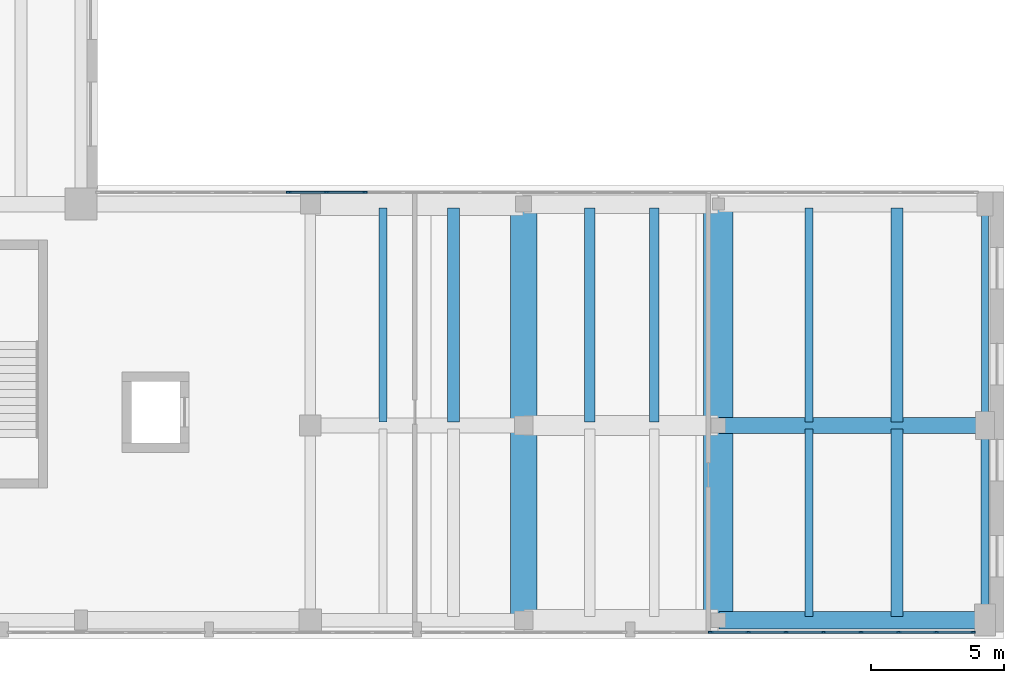
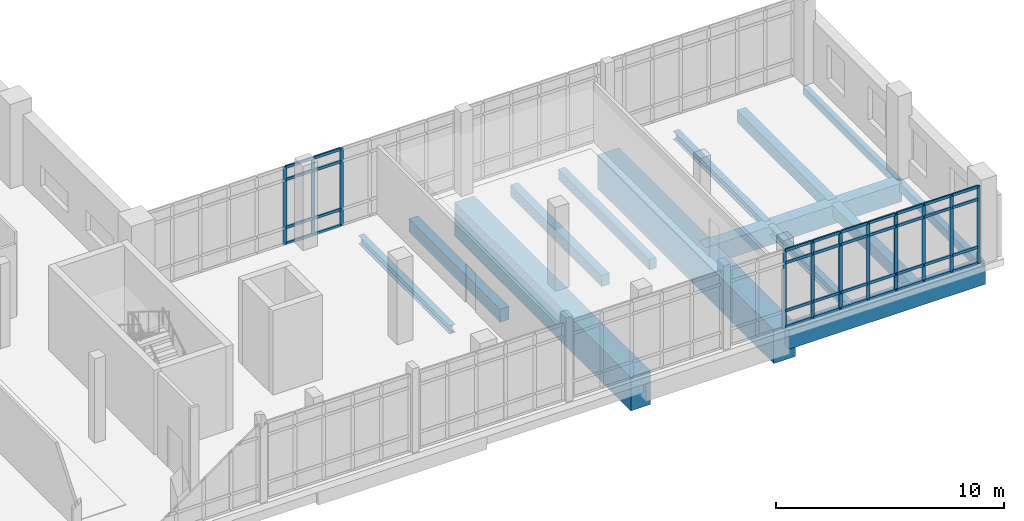
# One storey, part 40 of 89: 47 members, 14 beams, 2 elements without a shape of their own.
"""IFC4 building model written with IfcOpenShell, lengths in metres."""

from ifc_helpers import new_model, si_unit, direction, frame, origin, origin_2d, place, context, subcontext, project, spatial, rectangle, i_section, extrude, material, material_profile, profile_set, type_object, element, aggregate, save


model = new_model("IFC4")

# Units and contexts
model_context = context("Model", 3, precision=1e-05, world=origin(), true_north=direction((0.0, 1.0)))
body_context = subcontext(model_context, "Body", "Model", "MODEL_VIEW")
ifc_project = project(units=[si_unit("LENGTHUNIT", "METRE"), si_unit("AREAUNIT", "SQUARE_METRE"), si_unit("VOLUMEUNIT", "CUBIC_METRE"), si_unit("PLANEANGLEUNIT", "RADIAN"), si_unit("MASSUNIT", "GRAM", prefix="KILO")], contexts=[model_context])

# Site, building, storey
site_placement = place(None, origin())
site = spatial("IfcSite", under=ifc_project, at=site_placement, CompositionType="ELEMENT")
building_placement = place(site_placement, origin())
building = spatial("IfcBuilding", under=site, at=building_placement, Name="Soyqirgoq Riverine Aquarium", CompositionType="ELEMENT")
storey_placement = place(building_placement, frame((0.0, 0.0, 5.39990234375)))
storey = spatial("IfcBuildingStorey", under=building, at=storey_placement, Name="L02", CompositionType="ELEMENT", Elevation=5.39990234375)

# Beams
ifc_material_1 = material(Name="Concrete C40/50", Category="concrete")
ifc_material_profile_1 = material_profile(ifc_material_1, rectangle(XDim=0.39990234375, YDim=0.60009765625, at=origin_2d()), Name="RC 400x600")
ifc_profile_set_1 = profile_set([ifc_material_profile_1], Name="Concrete C40/50")
beam_type_1 = type_object("IfcBeamType", Name="Beam_RC_400x600", PredefinedType="JOIST", material=ifc_profile_set_1)
beam_1_placement = place(storey_placement, frame((148.48193359375, 9.639892578125, -0.64990234375), z_axis=(0.0, 1.0, 0.0), x_axis=(-1.0, 0.0, 0.0)))
element("IfcBeam", 1, at=beam_1_placement, inside=storey, type_object=beam_type_1, Name="V6 L02 Secondary Bay Joist 1138", PredefinedType="JOIST", context=body_context, shape_type="SweptSolid", body=[
    extrude(rectangle(XDim=0.39990234375, YDim=0.60009765625, at=origin_2d()), origin(), (0.0, 0.0, 1.0), 8.02001953125),
])
ifc_material_2 = material(Name="Concrete C40/50", Category="concrete")
ifc_material_profile_2 = material_profile(ifc_material_2, rectangle(XDim=0.449951171875, YDim=0.64990234375, at=origin_2d()), Name="RC 450x650")
ifc_profile_set_2 = profile_set([ifc_material_profile_2], Name="Concrete C40/50")
beam_type_2 = type_object("IfcBeamType", Name="Beam_RC_450x650", PredefinedType="BEAM", material=ifc_profile_set_2)
beam_2_placement = place(storey_placement, frame((160.0, 2.340087890625, -0.6748046875), z_axis=(0.0, 1.0, 0.0), x_axis=(-1.0, 0.0, 0.0)))
element("IfcBeam", 2, at=beam_2_placement, inside=storey, type_object=beam_type_2, Name="V6 L02 Secondary Bay Joist 1133", PredefinedType="BEAM", context=body_context, shape_type="SweptSolid", body=[
    extrude(rectangle(XDim=0.449951171875, YDim=0.64990234375, at=origin_2d()), origin(), (0.0, 0.0, 1.0), 7.02001953125),
])
beam_3_placement = place(storey_placement, frame((160.0, 9.639892578125, -0.6748046875), z_axis=(0.0, 1.0, 0.0), x_axis=(-1.0, 0.0, 0.0)))
element("IfcBeam", 3, at=beam_3_placement, inside=storey, type_object=beam_type_2, Name="V6 L02 Secondary Bay Joist 1141", PredefinedType="BEAM", context=body_context, shape_type="SweptSolid", body=[
    extrude(rectangle(XDim=0.449951171875, YDim=0.64990234375, at=origin_2d()), origin(), (0.0, 0.0, 1.0), 8.02001953125),
])
ifc_material_3 = material(Name="Concrete C40/50", Category="concrete")
ifc_material_profile_3 = material_profile(ifc_material_3, rectangle(XDim=0.449951171875, YDim=0.699951171875, at=origin_2d()), Name="RC 450x700")
ifc_profile_set_3 = profile_set([ifc_material_profile_3], Name="Concrete C40/50")
beam_type_3 = type_object("IfcBeamType", Name="Beam_RC_450x700", PredefinedType="BEAM", material=ifc_profile_set_3)
beam_4_placement = place(storey_placement, frame((143.360107421875, 9.639892578125, -0.699951171875), z_axis=(0.0, 1.0, 0.0), x_axis=(-1.0, 0.0, 0.0)))
element("IfcBeam", 4, at=beam_4_placement, inside=storey, type_object=beam_type_3, Name="V6 L02 Secondary Bay Joist 1137", PredefinedType="BEAM", context=body_context, shape_type="SweptSolid", body=[
    extrude(rectangle(XDim=0.449951171875, YDim=0.699951171875, at=origin_2d()), origin(), (0.0, 0.0, 1.0), 8.02001953125),
])

# Curtain wall, members
ifc_material_4 = material(Name="Anodised aluminium thermally broken gallery curtain wall", Category="aluminium")
curtain_wall_type = type_object("IfcCurtainWallType", Name="CW_Pavilion_Ribbon", PredefinedType="NOTDEFINED", material=ifc_material_4)
curtain_wall_1_placement = place(storey_placement, origin())
curtain_wall_1 = element("IfcCurtainWall", 5, at=curtain_wall_1_placement, inside=storey, type_object=curtain_wall_type, Name="V6 L02 Curtain Wall 112", PredefinedType="NOTDEFINED")
ifc_material_5 = material(Name="Anodised aluminium 6063-T6", Category="aluminium")
ifc_material_profile_4 = material_profile(ifc_material_5, rectangle(XDim=0.06494140625, YDim=0.179931640625, at=origin_2d()), Name="ALU-M 65x180")
ifc_profile_set_4 = profile_set([ifc_material_profile_4], Name="Anodised aluminium 6063-T6")
member_type_1 = type_object("IfcMemberType", Name="CWMullion_65x180", PredefinedType="MULLION", material=ifc_profile_set_4)
member_1_placement = place(storey_placement, frame((137.185302734375, 18.25, 0.0), z_axis=(0.0, 0.0, 1.0), x_axis=(0.0, 1.0, 0.0)))
member_1 = element("IfcMember", 6, at=member_1_placement, type_object=member_type_1, Name="CW-05 mullion 6", PredefinedType="MULLION", context=body_context, shape_type="SweptSolid", body=[
    extrude(rectangle(XDim=0.06494140625, YDim=0.179931640625, at=origin_2d()), origin(), (0.0, 0.0, 1.0), 4.170166015625),
])
member_2_placement = place(storey_placement, frame((138.6181640625, 18.25, 0.0), z_axis=(0.0, 0.0, 1.0), x_axis=(0.0, 1.0, 0.0)))
member_2 = element("IfcMember", 7, at=member_2_placement, type_object=member_type_1, Name="CW-05 mullion 7", PredefinedType="MULLION", context=body_context, shape_type="SweptSolid", body=[
    extrude(rectangle(XDim=0.06494140625, YDim=0.179931640625, at=origin_2d()), origin(), (0.0, 0.0, 1.0), 4.170166015625),
])
member_3_placement = place(storey_placement, frame((140.05126953125, 18.25, 0.0), z_axis=(0.0, 0.0, 1.0), x_axis=(0.0, 1.0, 0.0)))
member_3 = element("IfcMember", 8, at=member_3_placement, type_object=member_type_1, Name="CW-05 mullion 8", PredefinedType="MULLION", context=body_context, shape_type="SweptSolid", body=[
    extrude(rectangle(XDim=0.06494140625, YDim=0.179931640625, at=origin_2d()), origin(), (0.0, 0.0, 1.0), 4.170166015625),
])

curtain_wall_2_placement = place(storey_placement, origin())
curtain_wall_2 = element("IfcCurtainWall", 9, at=curtain_wall_2_placement, inside=storey, type_object=curtain_wall_type, Name="V6 L02 Curtain Wall 113", PredefinedType="NOTDEFINED")
member_4_placement = place(storey_placement, frame((162.847412109375, 1.75, 0.0), z_axis=(0.0, 0.0, 1.0), x_axis=(0.0, -1.0, 0.0)))
member_4 = element("IfcMember", 10, at=member_4_placement, type_object=member_type_1, Name="CW-05 mullion 1", PredefinedType="MULLION", context=body_context, shape_type="SweptSolid", body=[
    extrude(rectangle(XDim=0.06494140625, YDim=0.179931640625, at=origin_2d()), origin(), (0.0, 0.0, 1.0), 4.170166015625),
])
member_5_placement = place(storey_placement, frame((161.470458984375, 1.75, 0.0), z_axis=(0.0, 0.0, 1.0), x_axis=(0.0, -1.0, 0.0)))
member_5 = element("IfcMember", 11, at=member_5_placement, type_object=member_type_1, Name="CW-05 mullion 2", PredefinedType="MULLION", context=body_context, shape_type="SweptSolid", body=[
    extrude(rectangle(XDim=0.06494140625, YDim=0.179931640625, at=origin_2d()), origin(), (0.0, 0.0, 1.0), 4.170166015625),
])
member_6_placement = place(storey_placement, frame((160.06103515625, 1.75, 0.0), z_axis=(0.0, 0.0, 1.0), x_axis=(0.0, -1.0, 0.0)))
member_6 = element("IfcMember", 12, at=member_6_placement, type_object=member_type_1, Name="CW-05 mullion 3", PredefinedType="MULLION", context=body_context, shape_type="SweptSolid", body=[
    extrude(rectangle(XDim=0.06494140625, YDim=0.179931640625, at=origin_2d()), origin(), (0.0, 0.0, 1.0), 4.170166015625),
])
member_7_placement = place(storey_placement, frame((158.651611328125, 1.75, 0.0), z_axis=(0.0, 0.0, 1.0), x_axis=(0.0, -1.0, 0.0)))
member_7 = element("IfcMember", 13, at=member_7_placement, type_object=member_type_1, Name="CW-05 mullion 4", PredefinedType="MULLION", context=body_context, shape_type="SweptSolid", body=[
    extrude(rectangle(XDim=0.06494140625, YDim=0.179931640625, at=origin_2d()), origin(), (0.0, 0.0, 1.0), 4.170166015625),
])
member_8_placement = place(storey_placement, frame((157.2421875, 1.75, 0.0), z_axis=(0.0, 0.0, 1.0), x_axis=(0.0, -1.0, 0.0)))
member_8 = element("IfcMember", 14, at=member_8_placement, type_object=member_type_1, Name="CW-05 mullion 5", PredefinedType="MULLION", context=body_context, shape_type="SweptSolid", body=[
    extrude(rectangle(XDim=0.06494140625, YDim=0.179931640625, at=origin_2d()), origin(), (0.0, 0.0, 1.0), 4.170166015625),
])
member_9_placement = place(storey_placement, frame((155.832763671875, 1.75, 0.0), z_axis=(0.0, 0.0, 1.0), x_axis=(0.0, -1.0, 0.0)))
member_9 = element("IfcMember", 15, at=member_9_placement, type_object=member_type_1, Name="CW-05 mullion 6", PredefinedType="MULLION", context=body_context, shape_type="SweptSolid", body=[
    extrude(rectangle(XDim=0.06494140625, YDim=0.179931640625, at=origin_2d()), origin(), (0.0, 0.0, 1.0), 4.170166015625),
])
member_10_placement = place(storey_placement, frame((154.42333984375, 1.75, 0.0), z_axis=(0.0, 0.0, 1.0), x_axis=(0.0, -1.0, 0.0)))
member_10 = element("IfcMember", 16, at=member_10_placement, type_object=member_type_1, Name="CW-05 mullion 7", PredefinedType="MULLION", context=body_context, shape_type="SweptSolid", body=[
    extrude(rectangle(XDim=0.06494140625, YDim=0.179931640625, at=origin_2d()), origin(), (0.0, 0.0, 1.0), 4.170166015625),
])
member_11_placement = place(storey_placement, frame((153.013916015625, 1.75, 0.0), z_axis=(0.0, 0.0, 1.0), x_axis=(0.0, -1.0, 0.0)))
member_11 = element("IfcMember", 17, at=member_11_placement, type_object=member_type_1, Name="CW-05 mullion 8", PredefinedType="MULLION", context=body_context, shape_type="SweptSolid", body=[
    extrude(rectangle(XDim=0.06494140625, YDim=0.179931640625, at=origin_2d()), origin(), (0.0, 0.0, 1.0), 4.170166015625),
])

# Member
ifc_material_6 = material(Name="Anodised aluminium 6063-T6", Category="aluminium")
ifc_material_profile_5 = material_profile(ifc_material_6, rectangle(XDim=0.074951171875, YDim=0.14990234375, at=origin_2d()), Name="ALU-T 75x150")
ifc_profile_set_5 = profile_set([ifc_material_profile_5], Name="Anodised aluminium 6063-T6")
member_type_2 = type_object("IfcMemberType", Name="CWTransom_75x150", PredefinedType="USERDEFINED", material=ifc_profile_set_5)
member_12_placement = place(storey_placement, frame((137.2177734375, 18.25, 0.03759765625), z_axis=(1.0, 0.0, 0.0), x_axis=(0.0, 1.0, 0.0)))
member_12 = element("IfcMember", 18, at=member_12_placement, type_object=member_type_2, Name="CW-05 transom 6.1", ObjectType="TRANSOM", PredefinedType="USERDEFINED", context=body_context, shape_type="SweptSolid", body=[
    extrude(rectangle(XDim=0.074951171875, YDim=0.14990234375, at=origin_2d()), origin(), (0.0, 0.0, 1.0), 1.367919921875),
])

member_13_placement = place(storey_placement, frame((137.2177734375, 18.25, 0.900146484375), z_axis=(1.0, 0.0, 0.0), x_axis=(0.0, 1.0, 0.0)))
member_13 = element("IfcMember", 19, at=member_13_placement, type_object=member_type_2, Name="CW-05 transom 6.2", ObjectType="TRANSOM", PredefinedType="USERDEFINED", context=body_context, shape_type="SweptSolid", body=[
    extrude(rectangle(XDim=0.074951171875, YDim=0.14990234375, at=origin_2d()), origin(), (0.0, 0.0, 1.0), 1.367919921875),
])

member_14_placement = place(storey_placement, frame((137.2177734375, 18.25, 3.47021484375), z_axis=(1.0, 0.0, 0.0), x_axis=(0.0, 1.0, 0.0)))
member_14 = element("IfcMember", 20, at=member_14_placement, type_object=member_type_2, Name="CW-05 transom 6.3", ObjectType="TRANSOM", PredefinedType="USERDEFINED", context=body_context, shape_type="SweptSolid", body=[
    extrude(rectangle(XDim=0.074951171875, YDim=0.14990234375, at=origin_2d()), origin(), (0.0, 0.0, 1.0), 1.367919921875),
])

member_15_placement = place(storey_placement, frame((137.2177734375, 18.25, 4.132568359375), z_axis=(1.0, 0.0, 0.0), x_axis=(0.0, 1.0, 0.0)))
member_15 = element("IfcMember", 21, at=member_15_placement, type_object=member_type_2, Name="CW-05 transom 6.4", ObjectType="TRANSOM", PredefinedType="USERDEFINED", context=body_context, shape_type="SweptSolid", body=[
    extrude(rectangle(XDim=0.074951171875, YDim=0.14990234375, at=origin_2d()), origin(), (0.0, 0.0, 1.0), 1.367919921875),
])

member_16_placement = place(storey_placement, frame((138.65087890625, 18.25, 0.03759765625), z_axis=(1.0, 0.0, 0.0), x_axis=(0.0, 1.0, 0.0)))
member_16 = element("IfcMember", 22, at=member_16_placement, type_object=member_type_2, Name="CW-05 transom 7.1", ObjectType="TRANSOM", PredefinedType="USERDEFINED", context=body_context, shape_type="SweptSolid", body=[
    extrude(rectangle(XDim=0.074951171875, YDim=0.14990234375, at=origin_2d()), origin(), (0.0, 0.0, 1.0), 1.367919921875),
])

member_17_placement = place(storey_placement, frame((138.65087890625, 18.25, 0.900146484375), z_axis=(1.0, 0.0, 0.0), x_axis=(0.0, 1.0, 0.0)))
member_17 = element("IfcMember", 23, at=member_17_placement, type_object=member_type_2, Name="CW-05 transom 7.2", ObjectType="TRANSOM", PredefinedType="USERDEFINED", context=body_context, shape_type="SweptSolid", body=[
    extrude(rectangle(XDim=0.074951171875, YDim=0.14990234375, at=origin_2d()), origin(), (0.0, 0.0, 1.0), 1.367919921875),
])

member_18_placement = place(storey_placement, frame((138.65087890625, 18.25, 3.47021484375), z_axis=(1.0, 0.0, 0.0), x_axis=(0.0, 1.0, 0.0)))
member_18 = element("IfcMember", 24, at=member_18_placement, type_object=member_type_2, Name="CW-05 transom 7.3", ObjectType="TRANSOM", PredefinedType="USERDEFINED", context=body_context, shape_type="SweptSolid", body=[
    extrude(rectangle(XDim=0.074951171875, YDim=0.14990234375, at=origin_2d()), origin(), (0.0, 0.0, 1.0), 1.367919921875),
])

member_19_placement = place(storey_placement, frame((138.65087890625, 18.25, 4.132568359375), z_axis=(1.0, 0.0, 0.0), x_axis=(0.0, 1.0, 0.0)))
member_19 = element("IfcMember", 25, at=member_19_placement, type_object=member_type_2, Name="CW-05 transom 7.4", ObjectType="TRANSOM", PredefinedType="USERDEFINED", context=body_context, shape_type="SweptSolid", body=[
    extrude(rectangle(XDim=0.074951171875, YDim=0.14990234375, at=origin_2d()), origin(), (0.0, 0.0, 1.0), 1.367919921875),
])

aggregate(curtain_wall_1, [member_1, member_2, member_3, member_12, member_13, member_14, member_15, member_16, member_17, member_18, member_19])

member_20_placement = place(storey_placement, frame((162.81494140625, 1.75, 0.03759765625), z_axis=(-1.0, 0.0, 0.0), x_axis=(0.0, -1.0, 0.0)))
member_20 = element("IfcMember", 26, at=member_20_placement, type_object=member_type_2, Name="CW-05 transom 1.1", ObjectType="TRANSOM", PredefinedType="USERDEFINED", context=body_context, shape_type="SweptSolid", body=[
    extrude(rectangle(XDim=0.074951171875, YDim=0.14990234375, at=origin_2d()), origin(), (0.0, 0.0, 1.0), 1.311767578125),
])

member_21_placement = place(storey_placement, frame((162.81494140625, 1.75, 0.900146484375), z_axis=(-1.0, 0.0, 0.0), x_axis=(0.0, -1.0, 0.0)))
member_21 = element("IfcMember", 27, at=member_21_placement, type_object=member_type_2, Name="CW-05 transom 1.2", ObjectType="TRANSOM", PredefinedType="USERDEFINED", context=body_context, shape_type="SweptSolid", body=[
    extrude(rectangle(XDim=0.074951171875, YDim=0.14990234375, at=origin_2d()), origin(), (0.0, 0.0, 1.0), 1.311767578125),
])

member_22_placement = place(storey_placement, frame((162.81494140625, 1.75, 3.47021484375), z_axis=(-1.0, 0.0, 0.0), x_axis=(0.0, -1.0, 0.0)))
member_22 = element("IfcMember", 28, at=member_22_placement, type_object=member_type_2, Name="CW-05 transom 1.3", ObjectType="TRANSOM", PredefinedType="USERDEFINED", context=body_context, shape_type="SweptSolid", body=[
    extrude(rectangle(XDim=0.074951171875, YDim=0.14990234375, at=origin_2d()), origin(), (0.0, 0.0, 1.0), 1.311767578125),
])

member_23_placement = place(storey_placement, frame((162.81494140625, 1.75, 4.132568359375), z_axis=(-1.0, 0.0, 0.0), x_axis=(0.0, -1.0, 0.0)))
member_23 = element("IfcMember", 29, at=member_23_placement, type_object=member_type_2, Name="CW-05 transom 1.4", ObjectType="TRANSOM", PredefinedType="USERDEFINED", context=body_context, shape_type="SweptSolid", body=[
    extrude(rectangle(XDim=0.074951171875, YDim=0.14990234375, at=origin_2d()), origin(), (0.0, 0.0, 1.0), 1.311767578125),
])

member_24_placement = place(storey_placement, frame((161.43798828125, 1.75, 0.03759765625), z_axis=(-1.0, 0.0, 0.0), x_axis=(0.0, -1.0, 0.0)))
member_24 = element("IfcMember", 30, at=member_24_placement, type_object=member_type_2, Name="CW-05 transom 2.1", ObjectType="TRANSOM", PredefinedType="USERDEFINED", context=body_context, shape_type="SweptSolid", body=[
    extrude(rectangle(XDim=0.074951171875, YDim=0.14990234375, at=origin_2d()), origin(), (0.0, 0.0, 1.0), 1.344482421875),
])

member_25_placement = place(storey_placement, frame((161.43798828125, 1.75, 0.900146484375), z_axis=(-1.0, 0.0, 0.0), x_axis=(0.0, -1.0, 0.0)))
member_25 = element("IfcMember", 31, at=member_25_placement, type_object=member_type_2, Name="CW-05 transom 2.2", ObjectType="TRANSOM", PredefinedType="USERDEFINED", context=body_context, shape_type="SweptSolid", body=[
    extrude(rectangle(XDim=0.074951171875, YDim=0.14990234375, at=origin_2d()), origin(), (0.0, 0.0, 1.0), 1.344482421875),
])

member_26_placement = place(storey_placement, frame((161.43798828125, 1.75, 3.47021484375), z_axis=(-1.0, 0.0, 0.0), x_axis=(0.0, -1.0, 0.0)))
member_26 = element("IfcMember", 32, at=member_26_placement, type_object=member_type_2, Name="CW-05 transom 2.3", ObjectType="TRANSOM", PredefinedType="USERDEFINED", context=body_context, shape_type="SweptSolid", body=[
    extrude(rectangle(XDim=0.074951171875, YDim=0.14990234375, at=origin_2d()), origin(), (0.0, 0.0, 1.0), 1.344482421875),
])

member_27_placement = place(storey_placement, frame((161.43798828125, 1.75, 4.132568359375), z_axis=(-1.0, 0.0, 0.0), x_axis=(0.0, -1.0, 0.0)))
member_27 = element("IfcMember", 33, at=member_27_placement, type_object=member_type_2, Name="CW-05 transom 2.4", ObjectType="TRANSOM", PredefinedType="USERDEFINED", context=body_context, shape_type="SweptSolid", body=[
    extrude(rectangle(XDim=0.074951171875, YDim=0.14990234375, at=origin_2d()), origin(), (0.0, 0.0, 1.0), 1.344482421875),
])

member_28_placement = place(storey_placement, frame((160.028564453125, 1.75, 0.03759765625), z_axis=(-1.0, 0.0, 0.0), x_axis=(0.0, -1.0, 0.0)))
member_28 = element("IfcMember", 34, at=member_28_placement, type_object=member_type_2, Name="CW-05 transom 3.1", ObjectType="TRANSOM", PredefinedType="USERDEFINED", context=body_context, shape_type="SweptSolid", body=[
    extrude(rectangle(XDim=0.074951171875, YDim=0.14990234375, at=origin_2d()), origin(), (0.0, 0.0, 1.0), 1.344482421875),
])

member_29_placement = place(storey_placement, frame((160.028564453125, 1.75, 0.900146484375), z_axis=(-1.0, 0.0, 0.0), x_axis=(0.0, -1.0, 0.0)))
member_29 = element("IfcMember", 35, at=member_29_placement, type_object=member_type_2, Name="CW-05 transom 3.2", ObjectType="TRANSOM", PredefinedType="USERDEFINED", context=body_context, shape_type="SweptSolid", body=[
    extrude(rectangle(XDim=0.074951171875, YDim=0.14990234375, at=origin_2d()), origin(), (0.0, 0.0, 1.0), 1.344482421875),
])

member_30_placement = place(storey_placement, frame((160.028564453125, 1.75, 3.47021484375), z_axis=(-1.0, 0.0, 0.0), x_axis=(0.0, -1.0, 0.0)))
member_30 = element("IfcMember", 36, at=member_30_placement, type_object=member_type_2, Name="CW-05 transom 3.3", ObjectType="TRANSOM", PredefinedType="USERDEFINED", context=body_context, shape_type="SweptSolid", body=[
    extrude(rectangle(XDim=0.074951171875, YDim=0.14990234375, at=origin_2d()), origin(), (0.0, 0.0, 1.0), 1.344482421875),
])

member_31_placement = place(storey_placement, frame((160.028564453125, 1.75, 4.132568359375), z_axis=(-1.0, 0.0, 0.0), x_axis=(0.0, -1.0, 0.0)))
member_31 = element("IfcMember", 37, at=member_31_placement, type_object=member_type_2, Name="CW-05 transom 3.4", ObjectType="TRANSOM", PredefinedType="USERDEFINED", context=body_context, shape_type="SweptSolid", body=[
    extrude(rectangle(XDim=0.074951171875, YDim=0.14990234375, at=origin_2d()), origin(), (0.0, 0.0, 1.0), 1.344482421875),
])

member_32_placement = place(storey_placement, frame((158.619140625, 1.75, 0.03759765625), z_axis=(-1.0, 0.0, 0.0), x_axis=(0.0, -1.0, 0.0)))
member_32 = element("IfcMember", 38, at=member_32_placement, type_object=member_type_2, Name="CW-05 transom 4.1", ObjectType="TRANSOM", PredefinedType="USERDEFINED", context=body_context, shape_type="SweptSolid", body=[
    extrude(rectangle(XDim=0.074951171875, YDim=0.14990234375, at=origin_2d()), origin(), (0.0, 0.0, 1.0), 1.344482421875),
])

member_33_placement = place(storey_placement, frame((158.619140625, 1.75, 0.900146484375), z_axis=(-1.0, 0.0, 0.0), x_axis=(0.0, -1.0, 0.0)))
member_33 = element("IfcMember", 39, at=member_33_placement, type_object=member_type_2, Name="CW-05 transom 4.2", ObjectType="TRANSOM", PredefinedType="USERDEFINED", context=body_context, shape_type="SweptSolid", body=[
    extrude(rectangle(XDim=0.074951171875, YDim=0.14990234375, at=origin_2d()), origin(), (0.0, 0.0, 1.0), 1.344482421875),
])

member_34_placement = place(storey_placement, frame((158.619140625, 1.75, 3.47021484375), z_axis=(-1.0, 0.0, 0.0), x_axis=(0.0, -1.0, 0.0)))
member_34 = element("IfcMember", 40, at=member_34_placement, type_object=member_type_2, Name="CW-05 transom 4.3", ObjectType="TRANSOM", PredefinedType="USERDEFINED", context=body_context, shape_type="SweptSolid", body=[
    extrude(rectangle(XDim=0.074951171875, YDim=0.14990234375, at=origin_2d()), origin(), (0.0, 0.0, 1.0), 1.344482421875),
])

member_35_placement = place(storey_placement, frame((158.619140625, 1.75, 4.132568359375), z_axis=(-1.0, 0.0, 0.0), x_axis=(0.0, -1.0, 0.0)))
member_35 = element("IfcMember", 41, at=member_35_placement, type_object=member_type_2, Name="CW-05 transom 4.4", ObjectType="TRANSOM", PredefinedType="USERDEFINED", context=body_context, shape_type="SweptSolid", body=[
    extrude(rectangle(XDim=0.074951171875, YDim=0.14990234375, at=origin_2d()), origin(), (0.0, 0.0, 1.0), 1.344482421875),
])

member_36_placement = place(storey_placement, frame((157.209716796875, 1.75, 0.03759765625), z_axis=(-1.0, 0.0, 0.0), x_axis=(0.0, -1.0, 0.0)))
member_36 = element("IfcMember", 42, at=member_36_placement, type_object=member_type_2, Name="CW-05 transom 5.1", ObjectType="TRANSOM", PredefinedType="USERDEFINED", context=body_context, shape_type="SweptSolid", body=[
    extrude(rectangle(XDim=0.074951171875, YDim=0.14990234375, at=origin_2d()), origin(), (0.0, 0.0, 1.0), 1.344482421875),
])

member_37_placement = place(storey_placement, frame((157.209716796875, 1.75, 0.900146484375), z_axis=(-1.0, 0.0, 0.0), x_axis=(0.0, -1.0, 0.0)))
member_37 = element("IfcMember", 43, at=member_37_placement, type_object=member_type_2, Name="CW-05 transom 5.2", ObjectType="TRANSOM", PredefinedType="USERDEFINED", context=body_context, shape_type="SweptSolid", body=[
    extrude(rectangle(XDim=0.074951171875, YDim=0.14990234375, at=origin_2d()), origin(), (0.0, 0.0, 1.0), 1.344482421875),
])

member_38_placement = place(storey_placement, frame((157.209716796875, 1.75, 3.47021484375), z_axis=(-1.0, 0.0, 0.0), x_axis=(0.0, -1.0, 0.0)))
member_38 = element("IfcMember", 44, at=member_38_placement, type_object=member_type_2, Name="CW-05 transom 5.3", ObjectType="TRANSOM", PredefinedType="USERDEFINED", context=body_context, shape_type="SweptSolid", body=[
    extrude(rectangle(XDim=0.074951171875, YDim=0.14990234375, at=origin_2d()), origin(), (0.0, 0.0, 1.0), 1.344482421875),
])

member_39_placement = place(storey_placement, frame((157.209716796875, 1.75, 4.132568359375), z_axis=(-1.0, 0.0, 0.0), x_axis=(0.0, -1.0, 0.0)))
member_39 = element("IfcMember", 45, at=member_39_placement, type_object=member_type_2, Name="CW-05 transom 5.4", ObjectType="TRANSOM", PredefinedType="USERDEFINED", context=body_context, shape_type="SweptSolid", body=[
    extrude(rectangle(XDim=0.074951171875, YDim=0.14990234375, at=origin_2d()), origin(), (0.0, 0.0, 1.0), 1.344482421875),
])

member_40_placement = place(storey_placement, frame((155.80029296875, 1.75, 0.03759765625), z_axis=(-1.0, 0.0, 0.0), x_axis=(0.0, -1.0, 0.0)))
member_40 = element("IfcMember", 46, at=member_40_placement, type_object=member_type_2, Name="CW-05 transom 6.1", ObjectType="TRANSOM", PredefinedType="USERDEFINED", context=body_context, shape_type="SweptSolid", body=[
    extrude(rectangle(XDim=0.074951171875, YDim=0.14990234375, at=origin_2d()), origin(), (0.0, 0.0, 1.0), 1.344482421875),
])

member_41_placement = place(storey_placement, frame((155.80029296875, 1.75, 0.900146484375), z_axis=(-1.0, 0.0, 0.0), x_axis=(0.0, -1.0, 0.0)))
member_41 = element("IfcMember", 47, at=member_41_placement, type_object=member_type_2, Name="CW-05 transom 6.2", ObjectType="TRANSOM", PredefinedType="USERDEFINED", context=body_context, shape_type="SweptSolid", body=[
    extrude(rectangle(XDim=0.074951171875, YDim=0.14990234375, at=origin_2d()), origin(), (0.0, 0.0, 1.0), 1.344482421875),
])

member_42_placement = place(storey_placement, frame((155.80029296875, 1.75, 3.47021484375), z_axis=(-1.0, 0.0, 0.0), x_axis=(0.0, -1.0, 0.0)))
member_42 = element("IfcMember", 48, at=member_42_placement, type_object=member_type_2, Name="CW-05 transom 6.3", ObjectType="TRANSOM", PredefinedType="USERDEFINED", context=body_context, shape_type="SweptSolid", body=[
    extrude(rectangle(XDim=0.074951171875, YDim=0.14990234375, at=origin_2d()), origin(), (0.0, 0.0, 1.0), 1.344482421875),
])

member_43_placement = place(storey_placement, frame((155.80029296875, 1.75, 4.132568359375), z_axis=(-1.0, 0.0, 0.0), x_axis=(0.0, -1.0, 0.0)))
member_43 = element("IfcMember", 49, at=member_43_placement, type_object=member_type_2, Name="CW-05 transom 6.4", ObjectType="TRANSOM", PredefinedType="USERDEFINED", context=body_context, shape_type="SweptSolid", body=[
    extrude(rectangle(XDim=0.074951171875, YDim=0.14990234375, at=origin_2d()), origin(), (0.0, 0.0, 1.0), 1.344482421875),
])

member_44_placement = place(storey_placement, frame((154.390869140625, 1.75, 0.03759765625), z_axis=(-1.0, 0.0, 0.0), x_axis=(0.0, -1.0, 0.0)))
member_44 = element("IfcMember", 50, at=member_44_placement, type_object=member_type_2, Name="CW-05 transom 7.1", ObjectType="TRANSOM", PredefinedType="USERDEFINED", context=body_context, shape_type="SweptSolid", body=[
    extrude(rectangle(XDim=0.074951171875, YDim=0.14990234375, at=origin_2d()), origin(), (0.0, 0.0, 1.0), 1.344482421875),
])

member_45_placement = place(storey_placement, frame((154.390869140625, 1.75, 0.900146484375), z_axis=(-1.0, 0.0, 0.0), x_axis=(0.0, -1.0, 0.0)))
member_45 = element("IfcMember", 51, at=member_45_placement, type_object=member_type_2, Name="CW-05 transom 7.2", ObjectType="TRANSOM", PredefinedType="USERDEFINED", context=body_context, shape_type="SweptSolid", body=[
    extrude(rectangle(XDim=0.074951171875, YDim=0.14990234375, at=origin_2d()), origin(), (0.0, 0.0, 1.0), 1.344482421875),
])

member_46_placement = place(storey_placement, frame((154.390869140625, 1.75, 3.47021484375), z_axis=(-1.0, 0.0, 0.0), x_axis=(0.0, -1.0, 0.0)))
member_46 = element("IfcMember", 52, at=member_46_placement, type_object=member_type_2, Name="CW-05 transom 7.3", ObjectType="TRANSOM", PredefinedType="USERDEFINED", context=body_context, shape_type="SweptSolid", body=[
    extrude(rectangle(XDim=0.074951171875, YDim=0.14990234375, at=origin_2d()), origin(), (0.0, 0.0, 1.0), 1.344482421875),
])

member_47_placement = place(storey_placement, frame((154.390869140625, 1.75, 4.132568359375), z_axis=(-1.0, 0.0, 0.0), x_axis=(0.0, -1.0, 0.0)))
member_47 = element("IfcMember", 53, at=member_47_placement, type_object=member_type_2, Name="CW-05 transom 7.4", ObjectType="TRANSOM", PredefinedType="USERDEFINED", context=body_context, shape_type="SweptSolid", body=[
    extrude(rectangle(XDim=0.074951171875, YDim=0.14990234375, at=origin_2d()), origin(), (0.0, 0.0, 1.0), 1.344482421875),
])

aggregate(curtain_wall_2, [member_4, member_5, member_6, member_7, member_8, member_9, member_10, member_11, member_20, member_21, member_22, member_23, member_24, member_25, member_26, member_27, member_28, member_29, member_30, member_31, member_32, member_33, member_34, member_35, member_36, member_37, member_38, member_39, member_40, member_41, member_42, member_43, member_44, member_45, member_46, member_47])

# Beams
ifc_material_7 = material(Name="Concrete C40/50", Category="concrete")
ifc_material_profile_6 = material_profile(ifc_material_7, rectangle(XDim=0.60009765625, YDim=1.0, at=origin_2d()), Name="RC 600x1000")
ifc_profile_set_6 = profile_set([ifc_material_profile_6], Name="Concrete C40/50")
beam_type_4 = type_object("IfcBeamType", Name="Girder_RC_600x1000", PredefinedType="BEAM", material=ifc_profile_set_6)
beam_5_placement = place(storey_placement, frame((153.320068359375, 9.5, -0.849853515625), z_axis=(1.0, 0.0, 0.0), x_axis=(0.0, 1.0, 0.0)))
element("IfcBeam", 54, at=beam_5_placement, inside=storey, type_object=beam_type_4, Name="V6 L02 East-West Frame Girder 1122", PredefinedType="BEAM", context=body_context, shape_type="SweptSolid", body=[
    extrude(rectangle(XDim=0.60009765625, YDim=1.0, at=origin_2d()), origin(), (0.0, 0.0, 1.0), 9.9599609375),
])
ifc_material_8 = material(Name="Concrete C40/50", Category="concrete")
ifc_material_profile_7 = material_profile(ifc_material_8, rectangle(XDim=0.64990234375, YDim=1.0, at=origin_2d()), Name="RC 650x1000")
ifc_profile_set_7 = profile_set([ifc_material_profile_7], Name="Concrete C40/50")
beam_type_5 = type_object("IfcBeamType", Name="Girder_RC_650x1000", PredefinedType="BEAM", material=ifc_profile_set_7)
beam_6_placement = place(storey_placement, frame((153.320068359375, 2.199951171875, -0.849853515625), z_axis=(1.0, 0.0, 0.0), x_axis=(0.0, 1.0, 0.0)))
element("IfcBeam", 55, at=beam_6_placement, inside=storey, type_object=beam_type_5, Name="V6 L02 East-West Frame Girder 1121", PredefinedType="BEAM", context=body_context, shape_type="SweptSolid", body=[
    extrude(rectangle(XDim=0.64990234375, YDim=1.0, at=origin_2d()), origin(), (0.0, 0.0, 1.0), 9.9599609375),
])
ifc_material_9 = material(Name="Concrete C40/50", Category="concrete")
ifc_material_profile_8 = material_profile(ifc_material_9, rectangle(XDim=0.25, YDim=0.39990234375, at=origin_2d()), Name="RC 250x400")
ifc_profile_set_8 = profile_set([ifc_material_profile_8], Name="Concrete C40/50")
beam_type_6 = type_object("IfcBeamType", Name="Lintel_RC_250x400", PredefinedType="LINTEL", material=ifc_profile_set_8)
beam_7_placement = place(storey_placement, frame((163.300048828125, 9.550048828125, -0.5498046875), z_axis=(0.0, 1.0, 0.0), x_axis=(-1.0, 0.0, 0.0)))
element("IfcBeam", 56, at=beam_7_placement, inside=storey, type_object=beam_type_6, Name="V6 L02 North-South Frame Beam 1125", PredefinedType="LINTEL", context=body_context, shape_type="SweptSolid", body=[
    extrude(rectangle(XDim=0.25, YDim=0.39990234375, at=origin_2d()), origin(), (0.0, 0.0, 1.0), 8.199951171875),
])
ifc_material_10 = material(Name="Concrete C40/50", Category="concrete")
ifc_material_profile_9 = material_profile(ifc_material_10, rectangle(XDim=0.300048828125, YDim=0.449951171875, at=origin_2d()), Name="RC 300x450")
ifc_profile_set_9 = profile_set([ifc_material_profile_9], Name="Concrete C40/50")
beam_type_7 = type_object("IfcBeamType", Name="Lintel_RC_300x450", PredefinedType="LINTEL", material=ifc_profile_set_9)
beam_8_placement = place(storey_placement, frame((163.300048828125, 2.25, -0.574951171875), z_axis=(0.0, 1.0, 0.0), x_axis=(-1.0, 0.0, 0.0)))
element("IfcBeam", 57, at=beam_8_placement, inside=storey, type_object=beam_type_7, Name="V6 L02 North-South Frame Beam 1124", PredefinedType="LINTEL", context=body_context, shape_type="SweptSolid", body=[
    extrude(rectangle(XDim=0.300048828125, YDim=0.449951171875, at=origin_2d()), origin(), (0.0, 0.0, 1.0), 7.199951171875),
])
ifc_material_11 = material(Name="Structural steel S355", Category="steel")
ifc_material_profile_10 = material_profile(ifc_material_11, i_section(OverallWidth=0.300048828125, OverallDepth=0.43994140625, WebThickness=0.011474609375, FlangeThickness=0.02099609375, FilletRadius=0.027099609375, at=origin_2d()), Name="HEA 450")
ifc_profile_set_10 = profile_set([ifc_material_profile_10], Name="Structural steel S355")
beam_type_8 = type_object("IfcBeamType", Name="SteelBeam_HEA450", PredefinedType="BEAM", material=ifc_profile_set_10)
beam_9_placement = place(storey_placement, frame((156.699951171875, 2.340087890625, -0.56982421875), z_axis=(0.0, 1.0, 0.0), x_axis=(-1.0, 0.0, 0.0)))
element("IfcBeam", 58, at=beam_9_placement, inside=storey, type_object=beam_type_8, Name="V6 L02 Secondary Bay Joist 1132", PredefinedType="BEAM", context=body_context, shape_type="SweptSolid", body=[
    extrude(i_section(OverallWidth=0.300048828125, OverallDepth=0.43994140625, WebThickness=0.011474609375, FlangeThickness=0.02099609375, FilletRadius=0.027099609375, at=origin_2d()), origin(), (0.0, 0.0, 1.0), 7.02001953125),
])
for number, where, z_axis, x_axis, name in (
    (59, (140.719970703125, 9.639892578125, -0.56982421875), (0.0, 1.0, 0.0), (-1.0, 0.0, 0.0), "V6 L02 Secondary Bay Joist 1136"),
    (60, (156.699951171875, 9.639892578125, -0.56982421875), (0.0, 1.0, 0.0), (-1.0, 0.0, 0.0), "V6 L02 Secondary Bay Joist 1140"),
):
    element("IfcBeam", number, at=place(storey_placement, frame(where, z_axis=z_axis, x_axis=x_axis)), inside=storey, type_object=beam_type_8, Name=name, PredefinedType="BEAM", context=body_context, shape_type="SweptSolid", body=[
        extrude(i_section(OverallWidth=0.300048828125, OverallDepth=0.43994140625, WebThickness=0.011474609375, FlangeThickness=0.02099609375, FilletRadius=0.027099609375, at=origin_2d()), origin(), (0.0, 0.0, 1.0), 8.02001953125),
    ])
ifc_material_12 = material(Name="Concrete C40/50", Category="concrete")
ifc_material_profile_11 = material_profile(ifc_material_12, rectangle(XDim=0.35009765625, YDim=0.550048828125, at=origin_2d()), Name="RC 350x550")
ifc_profile_set_11 = profile_set([ifc_material_profile_11], Name="Concrete C40/50")
beam_type_9 = type_object("IfcBeamType", Name="TBeam_RC_350x550", PredefinedType="T_BEAM", material=ifc_profile_set_11)
beam_10_placement = place(storey_placement, frame((150.89111328125, 9.639892578125, -0.625), z_axis=(0.0, 1.0, 0.0), x_axis=(-1.0, 0.0, 0.0)))
element("IfcBeam", 61, at=beam_10_placement, inside=storey, type_object=beam_type_9, Name="V6 L02 Secondary Bay Joist 1139", PredefinedType="T_BEAM", context=body_context, shape_type="SweptSolid", body=[
    extrude(rectangle(XDim=0.35009765625, YDim=0.550048828125, at=origin_2d()), origin(), (0.0, 0.0, 1.0), 8.02001953125),
])
ifc_material_13 = material(Name="Waterproof concrete C45/55", Category="concrete")
ifc_material_profile_12 = material_profile(ifc_material_13, rectangle(XDim=1.0, YDim=1.800048828125, at=origin_2d()), Name="RC 1000x1800")
ifc_profile_set_12 = profile_set([ifc_material_profile_12], Name="Waterproof concrete C45/55")
beam_type_10 = type_object("IfcBeamType", Name="TransferGirder_1000x1800", PredefinedType="BEAM", material=ifc_profile_set_12)
beam_11_placement = place(storey_placement, frame((146.0, 2.25, -1.25), z_axis=(0.0, 1.0, 0.0), x_axis=(-1.0, 0.0, 0.0)))
element("IfcBeam", 62, at=beam_11_placement, inside=storey, type_object=beam_type_10, Name="V6 L02 Auditorium Clear-Span Transfer Girder 1425", PredefinedType="BEAM", context=body_context, shape_type="SweptSolid", body=[
    extrude(rectangle(XDim=1.0, YDim=1.800048828125, at=origin_2d()), origin(), (0.0, 0.0, 1.0), 15.5),
])
ifc_material_14 = material(Name="Waterproof concrete C45/55", Category="concrete")
ifc_material_profile_13 = material_profile(ifc_material_14, rectangle(XDim=1.10009765625, YDim=1.800048828125, at=origin_2d()), Name="RC 1100x1800")
ifc_profile_set_13 = profile_set([ifc_material_profile_13], Name="Waterproof concrete C45/55")
beam_type_11 = type_object("IfcBeamType", Name="TransferGirder_1100x1800", PredefinedType="BEAM", material=ifc_profile_set_13)
beam_12_placement = place(storey_placement, frame((153.300048828125, 2.25, -1.25), z_axis=(0.0, 1.0, 0.0), x_axis=(-1.0, 0.0, 0.0)))
element("IfcBeam", 63, at=beam_12_placement, inside=storey, type_object=beam_type_11, Name="V6 L02 Auditorium Clear-Span Transfer Girder 1426", PredefinedType="BEAM", context=body_context, shape_type="SweptSolid", body=[
    extrude(rectangle(XDim=1.10009765625, YDim=1.800048828125, at=origin_2d()), origin(), (0.0, 0.0, 1.0), 15.5),
])

save(model, "model.ifc")
